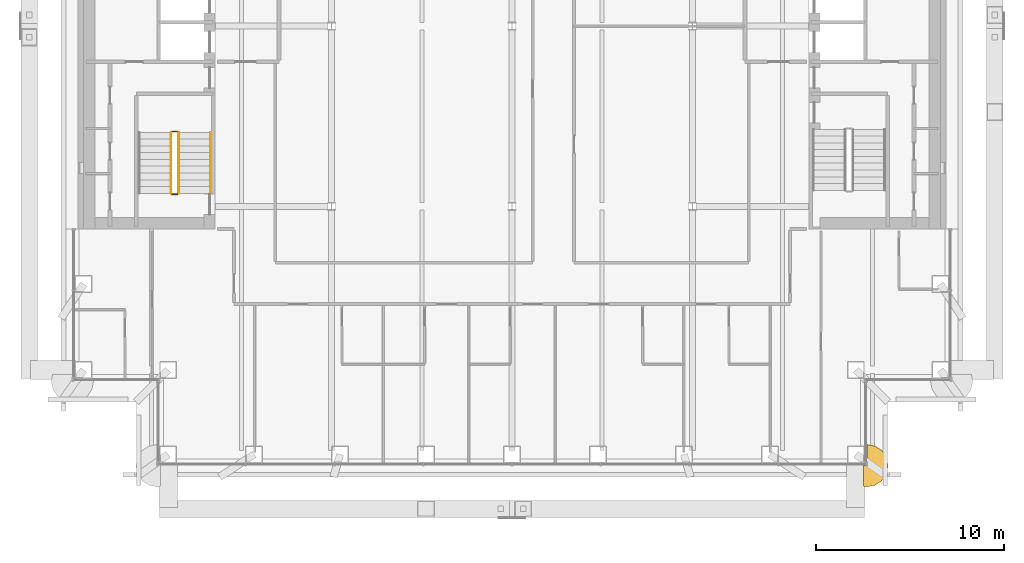
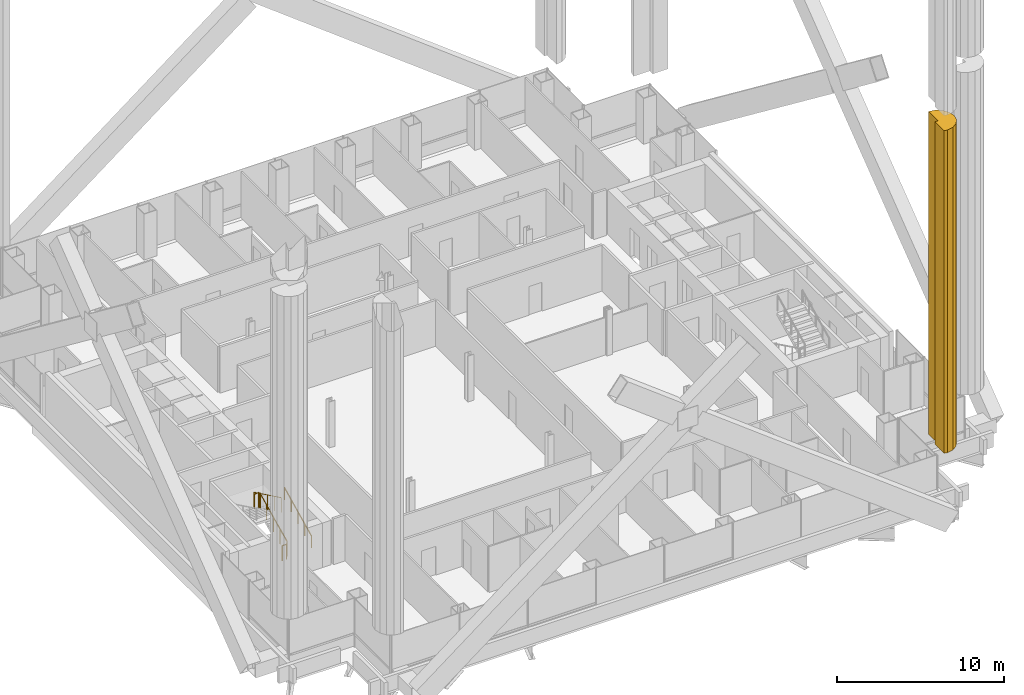
# One storey, part 18 of 22: 5 railings, 1 covering.
"""IFC4 building model written with IfcOpenShell, lengths in metres."""

from ifc_helpers import new_model, si_unit, direction, frame, origin, origin_2d, place, context, subcontext, project, spatial, polyline, circle, outline, extrude, material, type_object, element, save


model = new_model("IFC4")

# Units and contexts
model_context = context("Model", 3, precision=1e-05, world=origin(), true_north=direction((0.0, 1.0)))
body_context = subcontext(model_context, "Body", "Model", "MODEL_VIEW")
ifc_project = project(units=[si_unit("LENGTHUNIT", "METRE"), si_unit("AREAUNIT", "SQUARE_METRE"), si_unit("VOLUMEUNIT", "CUBIC_METRE"), si_unit("PLANEANGLEUNIT", "RADIAN"), si_unit("MASSUNIT", "GRAM", prefix="KILO")], contexts=[model_context])

# Site, building, storey
site_placement = place(None, origin())
site = spatial("IfcSite", under=ifc_project, at=site_placement, CompositionType="ELEMENT")
building_placement = place(site_placement, origin())
building = spatial("IfcBuilding", under=site, at=building_placement, Name="Cobrizo Arcos Hotel Tower", CompositionType="ELEMENT")
storey_placement = place(building_placement, frame((0.0, 0.0, 89.0)))
storey = spatial("IfcBuildingStorey", under=building, at=storey_placement, Name="L21", CompositionType="ELEMENT", Elevation=89.0)

# Covering
ifc_material_1 = material(Name="Aluminium 6063-T6 anodised pale", Category="aluminium")
covering_type = type_object("IfcCoveringType", Name="RB-2 notch bullnose roll R1125", PredefinedType="CLADDING", material=ifc_material_1)
covering_placement = place(storey_placement, frame((0.0, 0.0, 4.362548828125)))
element("IfcCovering", 1, at=covering_placement, inside=storey, type_object=covering_type, Name="Notch bullnose roll 14", PredefinedType="CLADDING", context=body_context, shape_type="SweptSolid", body=[
    extrude(outline(polyline([(19.695556640625, -22.6044921875), (19.33056640625, -22.360595703125), (18.89990234375, -22.27490234375), (18.89990234375, -23.39990234375), (18.699951171875, -23.39990234375), (18.699951171875, -24.485107421875), (18.89990234375, -24.52490234375), (19.33056640625, -24.439453125), (19.695556640625, -24.195556640625), (19.939453125, -23.83056640625), (20.02490234375, -23.39990234375), (19.939453125, -22.969482421875), (19.695556640625, -22.6044921875)])), origin(), (0.0, 0.0, 1.0), 23.58740234375),
])

# Railings
ifc_material_2 = material(Name="Stainless steel railing", Category="steel")
railing_type_1 = type_object("IfcRailingType", Name="Stair guard 1100", PredefinedType="GUARDRAIL", material=ifc_material_2)
railing_1_placement = place(storey_placement, frame((-17.75, -8.89990234375, 0.175048828125)))
element("IfcRailing", 2, at=railing_1_placement, inside=storey, type_object=railing_type_1, Name="L21 ST-W stair guard 1", PredefinedType="GUARDRAIL", context=body_context, shape_type="SweptSolid", body=[
    extrude(circle(Radius=0.02392578125, at=origin_2d()), frame((0.0, 0.0, 1.076171875), z_axis=(0.0, 0.899372665325, 0.437182809435), x_axis=(-1.0, 0.0, 0.0)), (0.0, 0.0, 1.0), 3.6025390625),
    extrude(circle(Radius=0.02099609375, at=origin_2d()), origin(), (0.0, 0.0, 1.0), 1.052001953125),
    extrude(circle(Radius=0.02099609375, at=origin_2d()), frame((0.0, 0.81005859375, 0.393798828125)), (0.0, 0.0, 1.0), 1.052001953125),
    extrude(circle(Radius=0.02099609375, at=origin_2d()), frame((0.0, 1.6201171875, 0.78759765625)), (0.0, 0.0, 1.0), 1.052001953125),
    extrude(circle(Radius=0.02099609375, at=origin_2d()), frame((0.0, 2.429931640625, 1.18115234375)), (0.0, 0.0, 1.0), 1.052001953125),
    extrude(circle(Radius=0.02099609375, at=origin_2d()), frame((0.0, 3.239990234375, 1.574951171875)), (0.0, 0.0, 1.0), 1.052001953125),
])
railing_2_placement = place(storey_placement, frame((-17.800048828125, -5.610107421875, 1.75)))
element("IfcRailing", 3, at=railing_2_placement, inside=storey, type_object=railing_type_1, Name="L21 ST-W stair guard 2", PredefinedType="GUARDRAIL", context=body_context, shape_type="SweptSolid", body=[
    extrude(circle(Radius=0.02392578125, at=origin_2d()), frame((0.0, 0.0, 1.076171875), z_axis=(-1.0, 0.0, 0.0), x_axis=(0.0, -1.0, 0.0)), (0.0, 0.0, 1.0), 0.300048828125),
    extrude(circle(Radius=0.02099609375, at=origin_2d()), origin(), (0.0, 0.0, 1.0), 1.052001953125),
    extrude(circle(Radius=0.02099609375, at=origin_2d()), frame((-0.300048828125, 0.0, 0.0)), (0.0, 0.0, 1.0), 1.052001953125),
])
railing_3_placement = place(storey_placement, frame((-18.14990234375, -5.659912109375, 1.925048828125)))
element("IfcRailing", 4, at=railing_3_placement, inside=storey, type_object=railing_type_1, Name="L21 ST-W stair guard 3", PredefinedType="GUARDRAIL", context=body_context, shape_type="SweptSolid", body=[
    extrude(circle(Radius=0.02392578125, at=origin_2d()), frame((0.0, 0.0, 1.076171875), z_axis=(0.0, -0.899372665325, 0.437182809435), x_axis=(1.0, 0.0, 0.0)), (0.0, 0.0, 1.0), 3.6025390625),
    extrude(circle(Radius=0.02099609375, at=origin_2d()), origin(), (0.0, 0.0, 1.0), 1.052001953125),
    extrude(circle(Radius=0.02099609375, at=origin_2d()), frame((0.0, -0.81005859375, 0.393798828125)), (0.0, 0.0, 1.0), 1.052001953125),
    extrude(circle(Radius=0.02099609375, at=origin_2d()), frame((0.0, -1.6201171875, 0.78759765625)), (0.0, 0.0, 1.0), 1.052001953125),
    extrude(circle(Radius=0.02099609375, at=origin_2d()), frame((0.0, -2.429931640625, 1.18115234375)), (0.0, 0.0, 1.0), 1.052001953125),
    extrude(circle(Radius=0.02099609375, at=origin_2d()), frame((0.0, -3.239990234375, 1.574951171875)), (0.0, 0.0, 1.0), 1.052001953125),
])
railing_4_placement = place(storey_placement, frame((-17.800048828125, -8.949951171875, 0.0)))
element("IfcRailing", 5, at=railing_4_placement, inside=storey, type_object=railing_type_1, Name="L21 ST-W stair guard 4", PredefinedType="GUARDRAIL", context=body_context, shape_type="SweptSolid", body=[
    extrude(circle(Radius=0.02392578125, at=origin_2d()), frame((0.0, 0.0, 1.076171875), z_axis=(-1.0, 0.0, 0.0), x_axis=(0.0, -1.0, 0.0)), (0.0, 0.0, 1.0), 0.300048828125),
    extrude(circle(Radius=0.02099609375, at=origin_2d()), origin(), (0.0, 0.0, 1.0), 1.052001953125),
    extrude(circle(Radius=0.02099609375, at=origin_2d()), frame((-0.300048828125, 0.0, 0.0)), (0.0, 0.0, 1.0), 1.052001953125),
])
railing_type_2 = type_object("IfcRailingType", Name="Stair handrail", PredefinedType="HANDRAIL", material=ifc_material_2)
railing_5_placement = place(storey_placement, frame((-16.050048828125, -8.89990234375, 0.175048828125)))
element("IfcRailing", 6, at=railing_5_placement, inside=storey, type_object=railing_type_2, Name="L21 ST-W stair handrail 1", PredefinedType="HANDRAIL", context=body_context, shape_type="SweptSolid", body=[
    extrude(circle(Radius=0.02392578125, at=origin_2d()), frame((0.0, 0.0, 0.8759765625), z_axis=(0.0, 0.899372665325, 0.437182809435), x_axis=(-1.0, 0.0, 0.0)), (0.0, 0.0, 1.0), 3.6025390625),
    extrude(circle(Radius=0.02099609375, at=origin_2d()), origin(), (0.0, 0.0, 1.0), 0.851806640625),
    extrude(circle(Radius=0.02099609375, at=origin_2d()), frame((0.0, 0.81005859375, 0.393798828125)), (0.0, 0.0, 1.0), 0.851806640625),
    extrude(circle(Radius=0.02099609375, at=origin_2d()), frame((0.0, 1.6201171875, 0.78759765625)), (0.0, 0.0, 1.0), 0.851806640625),
    extrude(circle(Radius=0.02099609375, at=origin_2d()), frame((0.0, 2.429931640625, 1.18115234375)), (0.0, 0.0, 1.0), 0.851806640625),
    extrude(circle(Radius=0.02099609375, at=origin_2d()), frame((0.0, 3.239990234375, 1.574951171875)), (0.0, 0.0, 1.0), 0.851806640625),
])

save(model, "model.ifc")
